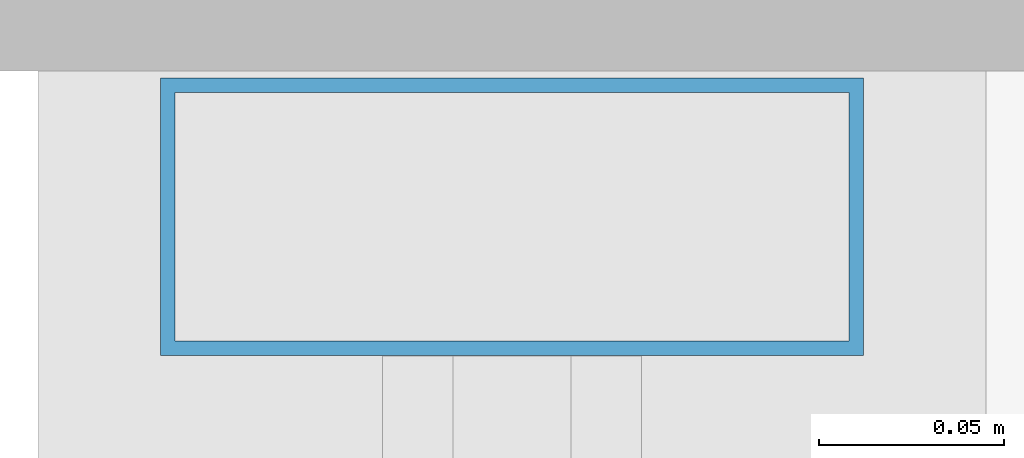
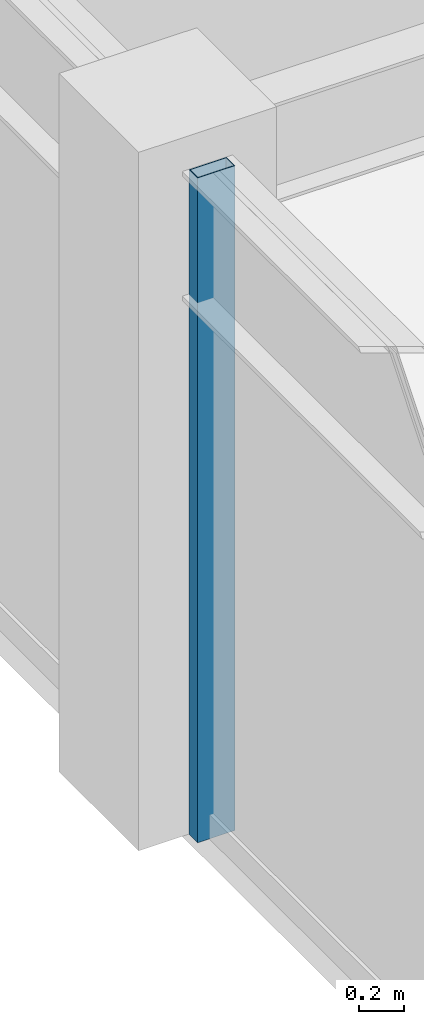
# One storey, part 8 of 31: 1 member, 1 element without a shape of its own.
"""IFC4 building model written with IfcOpenShell, lengths in metres."""

from ifc_helpers import new_model, si_unit, direction, frame, origin, origin_2d, place, context, subcontext, project, spatial, hollow_rectangle, extrude, material, layer, layer_set, material_profile, profile_set, type_object, element, aggregate, save


model = new_model("IFC4")

# Units and contexts
model_context = context("Model", 3, precision=1e-05, world=origin(), true_north=direction((0.0, 1.0)))
body_context = subcontext(model_context, "Body", "Model", "MODEL_VIEW")
ifc_project = project(units=[si_unit("LENGTHUNIT", "METRE"), si_unit("AREAUNIT", "SQUARE_METRE"), si_unit("VOLUMEUNIT", "CUBIC_METRE"), si_unit("PLANEANGLEUNIT", "RADIAN"), si_unit("MASSUNIT", "GRAM", prefix="KILO")], contexts=[model_context])

# Site, building, storey
site_placement = place(None, origin())
site = spatial("IfcSite", under=ifc_project, at=site_placement, CompositionType="ELEMENT")
building_placement = place(site_placement, origin())
building = spatial("IfcBuilding", under=site, at=building_placement, Name="Surkhivell Harbour Commons", CompositionType="ELEMENT")
storey_placement = place(building_placement, frame((0.0, 0.0, 285.0)))
storey = spatial("IfcBuildingStorey", under=building, at=storey_placement, Name="L74", CompositionType="ELEMENT", Elevation=285.0)

# Curtain wall, member
ifc_material_1 = material(Name="Anodised pale-metal aluminium and insulated glazing", Category="aluminium")
ifc_layer = layer(ifc_material_1, 0.175048828125)
ifc_layer_set = layer_set([ifc_layer], Name="Anodised pale-metal aluminium and insulated glazing")
curtain_wall_type = type_object("IfcCurtainWallType", Name="CW-SYS-Z4", PredefinedType="NOTDEFINED", material=ifc_layer_set)
curtain_wall_placement = place(storey_placement, origin())
curtain_wall = element("IfcCurtainWall", 1, at=curtain_wall_placement, inside=storey, type_object=curtain_wall_type, Name="L74 Curtain Wall CW-L74-E12S1", PredefinedType="NOTDEFINED")
ifc_material_2 = material(Name="Anodised pale-metal aluminium alloy 6063-T6", Category="aluminium")
ifc_material_profile = material_profile(ifc_material_2, hollow_rectangle(XDim=0.074951171875, YDim=0.18994140625, WallThickness=0.00390625, at=origin_2d()), Name="ALU-MULL-75x190")
ifc_profile_set = profile_set([ifc_material_profile], Name="Anodised pale-metal aluminium alloy 6063-T6")
member_type = type_object("IfcMemberType", Name="CWM-190", PredefinedType="MULLION", material=ifc_profile_set)
member_placement = place(storey_placement, frame((-27.0, -0.389404296875, 0.0), z_axis=(0.0, 0.0, 1.0), x_axis=(0.0, -1.0, 0.0)))
member = element("IfcMember", 2, at=member_placement, type_object=member_type, Name="CW-Z4 mullion 5", PredefinedType="MULLION", context=body_context, shape_type="SweptSolid", body=[
    extrude(hollow_rectangle(XDim=0.074951171875, YDim=0.18994140625, WallThickness=0.00390625, at=origin_2d()), origin(), (0.0, 0.0, 1.0), 3.570068359375),
])
aggregate(curtain_wall, [member])

save(model, "model.ifc")
